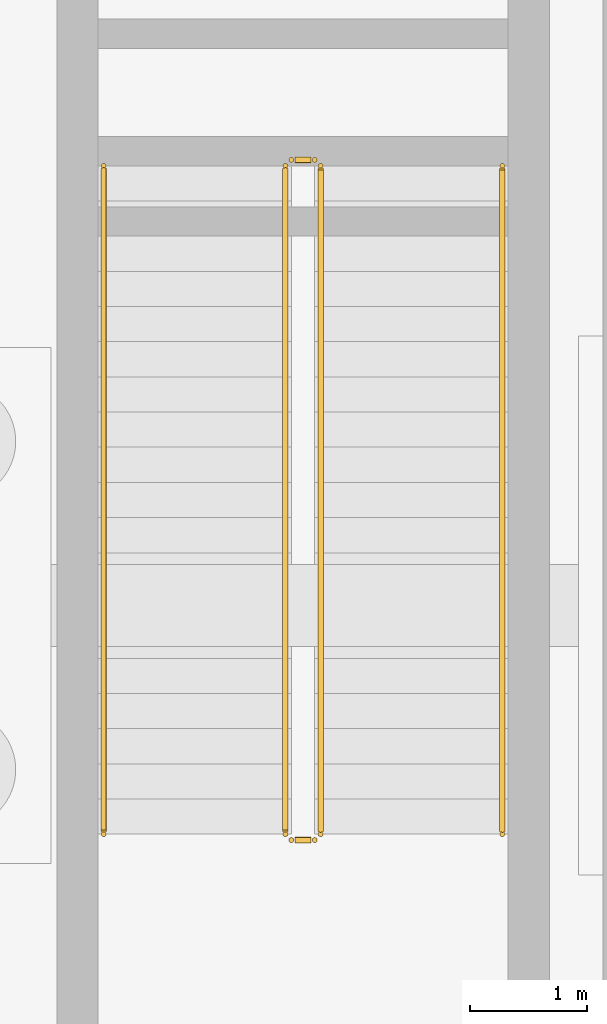
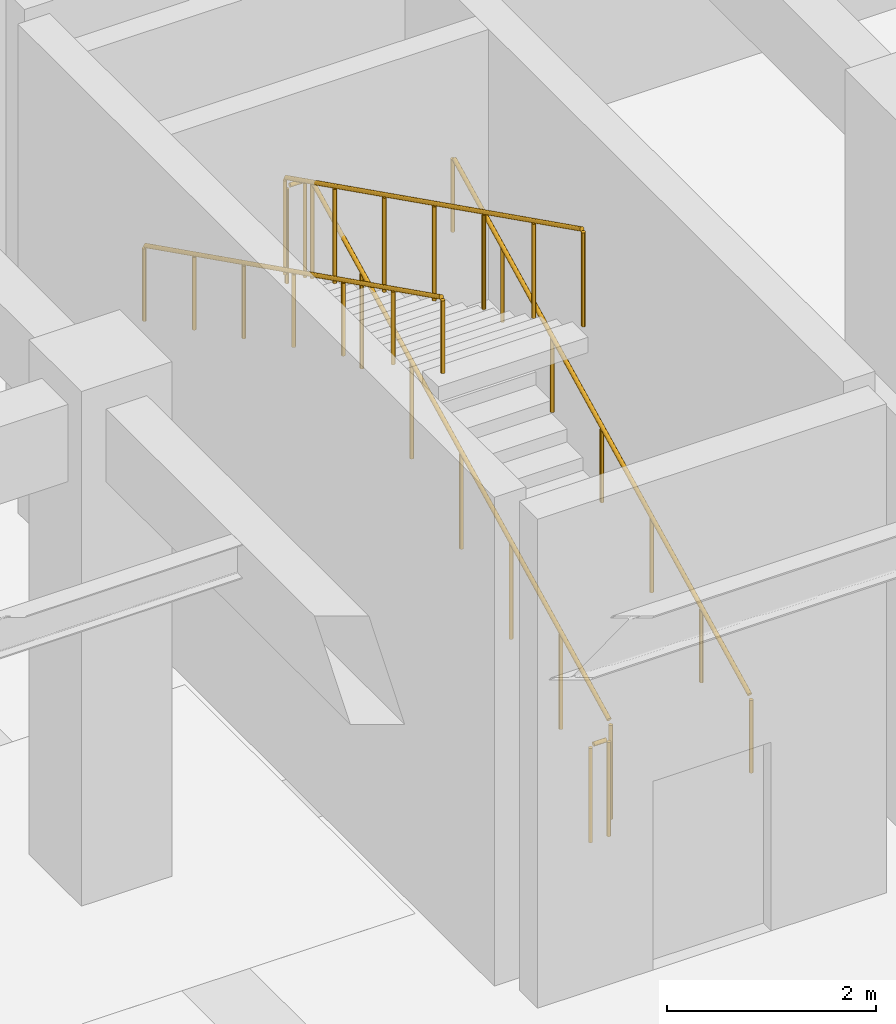
# One storey, part 32 of 36: 6 railings.
"""IFC4 building model written with IfcOpenShell, lengths in metres."""

from ifc_helpers import new_model, si_unit, direction, frame, origin, origin_2d, place, context, subcontext, project, spatial, circle, extrude, material, type_object, element, save


model = new_model("IFC4")

# Units and contexts
model_context = context("Model", 3, precision=1e-05, world=origin(), true_north=direction((0.0, 1.0)))
body_context = subcontext(model_context, "Body", "Model", "MODEL_VIEW")
ifc_project = project(units=[si_unit("LENGTHUNIT", "METRE"), si_unit("AREAUNIT", "SQUARE_METRE"), si_unit("VOLUMEUNIT", "CUBIC_METRE"), si_unit("PLANEANGLEUNIT", "RADIAN"), si_unit("MASSUNIT", "GRAM", prefix="KILO")], contexts=[model_context])

# Site, building, storey
site_placement = place(None, origin())
site = spatial("IfcSite", under=ifc_project, at=site_placement, CompositionType="ELEMENT")
building_placement = place(site_placement, origin())
building = spatial("IfcBuilding", under=site, at=building_placement, Name="Haizhuo Lancet Aquarium", CompositionType="ELEMENT")
storey_placement = place(building_placement, frame((0.0, 0.0, -6.0)))
storey = spatial("IfcBuildingStorey", under=building, at=storey_placement, Name="B1", CompositionType="ELEMENT", Elevation=-6.0)

# Railings
ifc_material = material(Name="Steel S355", Category="steel")
railing_type_1 = type_object("IfcRailingType", Name="RL-GRD-1150", PredefinedType="GUARDRAIL", material=ifc_material)
railing_1_placement = place(storey_placement, frame((13.5, 43.050048828125, 0.14990234375)))
element("IfcRailing", 1, at=railing_1_placement, inside=storey, type_object=railing_type_1, Name="B1 ST-08 stair guard 1", PredefinedType="GUARDRAIL", context=body_context, shape_type="SweptSolid", body=[
    extrude(circle(Radius=0.02392578125, at=origin_2d()), frame((0.0, 0.02685546875, 1.13916015625), z_axis=(0.0, 0.894419528903, 0.447228919365), x_axis=(-1.0, 0.0, 0.0)), (0.0, 0.0, 1.0), 6.312744140625),
    extrude(circle(Radius=0.02099609375, at=origin_2d()), origin(), (0.0, 0.0, 1.0), 1.097900390625),
    extrude(circle(Radius=0.02099609375, at=origin_2d()), frame((0.0, 0.949951171875, 0.47509765625)), (0.0, 0.0, 1.0), 1.097900390625),
    extrude(circle(Radius=0.02099609375, at=origin_2d()), frame((0.0, 1.89990234375, 0.949951171875)), (0.0, 0.0, 1.0), 1.097900390625),
    extrude(circle(Radius=0.02099609375, at=origin_2d()), frame((0.0, 2.85009765625, 1.425048828125)), (0.0, 0.0, 1.0), 1.097900390625),
    extrude(circle(Radius=0.02099609375, at=origin_2d()), frame((0.0, 3.800048828125, 1.900146484375)), (0.0, 0.0, 1.0), 1.097900390625),
    extrude(circle(Radius=0.02099609375, at=origin_2d()), frame((0.0, 4.75, 2.375)), (0.0, 0.0, 1.0), 1.097900390625),
    extrude(circle(Radius=0.02099609375, at=origin_2d()), frame((0.0, 5.699951171875, 2.85009765625)), (0.0, 0.0, 1.0), 1.097900390625),
])
railing_2_placement = place(storey_placement, frame((13.449951171875, 48.800048828125, 3.0)))
element("IfcRailing", 2, at=railing_2_placement, inside=storey, type_object=railing_type_1, Name="B1 ST-08 stair guard 2", PredefinedType="GUARDRAIL", context=body_context, shape_type="SweptSolid", body=[
    extrude(circle(Radius=0.02392578125, at=origin_2d()), frame((-0.030029296875, 0.0, 1.1259765625), z_axis=(-1.0, 0.0, 0.0), x_axis=(0.0, -1.0, 0.0)), (0.0, 0.0, 1.0), 0.139892578125),
    extrude(circle(Radius=0.02099609375, at=origin_2d()), origin(), (0.0, 0.0, 1.0), 1.097900390625),
    extrude(circle(Radius=0.02099609375, at=origin_2d()), frame((-0.199951171875, 0.0, 0.0)), (0.0, 0.0, 1.0), 1.097900390625),
])
railing_3_placement = place(storey_placement, frame((13.199951171875, 48.75, 3.14990234375)))
element("IfcRailing", 3, at=railing_3_placement, inside=storey, type_object=railing_type_1, Name="B1 ST-08 stair guard 3", PredefinedType="GUARDRAIL", context=body_context, shape_type="SweptSolid", body=[
    extrude(circle(Radius=0.02392578125, at=origin_2d()), frame((0.0, -0.02685546875, 1.13916015625), z_axis=(0.0, -0.894419528903, 0.447228919365), x_axis=(1.0, 0.0, 0.0)), (0.0, 0.0, 1.0), 6.312744140625),
    extrude(circle(Radius=0.02099609375, at=origin_2d()), origin(), (0.0, 0.0, 1.0), 1.097900390625),
    extrude(circle(Radius=0.02099609375, at=origin_2d()), frame((0.0, -0.949951171875, 0.47509765625)), (0.0, 0.0, 1.0), 1.097900390625),
    extrude(circle(Radius=0.02099609375, at=origin_2d()), frame((0.0, -1.89990234375, 0.949951171875)), (0.0, 0.0, 1.0), 1.097900390625),
    extrude(circle(Radius=0.02099609375, at=origin_2d()), frame((0.0, -2.85009765625, 1.425048828125)), (0.0, 0.0, 1.0), 1.097900390625),
    extrude(circle(Radius=0.02099609375, at=origin_2d()), frame((0.0, -3.800048828125, 1.900146484375)), (0.0, 0.0, 1.0), 1.097900390625),
    extrude(circle(Radius=0.02099609375, at=origin_2d()), frame((0.0, -4.75, 2.375)), (0.0, 0.0, 1.0), 1.097900390625),
    extrude(circle(Radius=0.02099609375, at=origin_2d()), frame((0.0, -5.699951171875, 2.85009765625)), (0.0, 0.0, 1.0), 1.097900390625),
])
railing_4_placement = place(storey_placement, frame((13.449951171875, 43.0, 0.0)))
element("IfcRailing", 4, at=railing_4_placement, inside=storey, type_object=railing_type_1, Name="B1 ST-08 stair guard 4", PredefinedType="GUARDRAIL", context=body_context, shape_type="SweptSolid", body=[
    extrude(circle(Radius=0.02392578125, at=origin_2d()), frame((-0.030029296875, 0.0, 1.1259765625), z_axis=(-1.0, 0.0, 0.0), x_axis=(0.0, -1.0, 0.0)), (0.0, 0.0, 1.0), 0.139892578125),
    extrude(circle(Radius=0.02099609375, at=origin_2d()), origin(), (0.0, 0.0, 1.0), 1.097900390625),
    extrude(circle(Radius=0.02099609375, at=origin_2d()), frame((-0.199951171875, 0.0, 0.0)), (0.0, 0.0, 1.0), 1.097900390625),
])
railing_type_2 = type_object("IfcRailingType", Name="RL-HDR-900", PredefinedType="HANDRAIL", material=ifc_material)
railing_5_placement = place(storey_placement, frame((15.050048828125, 43.050048828125, 0.14990234375)))
element("IfcRailing", 5, at=railing_5_placement, inside=storey, type_object=railing_type_2, Name="B1 ST-08 pitch handrail 1", PredefinedType="HANDRAIL", context=body_context, shape_type="SweptSolid", body=[
    extrude(circle(Radius=0.02392578125, at=origin_2d()), frame((0.0, 0.02685546875, 0.88916015625), z_axis=(0.0, 0.894419528903, 0.447228919365), x_axis=(-1.0, 0.0, 0.0)), (0.0, 0.0, 1.0), 6.312744140625),
    extrude(circle(Radius=0.02099609375, at=origin_2d()), origin(), (0.0, 0.0, 1.0), 0.847900390625),
    extrude(circle(Radius=0.02099609375, at=origin_2d()), frame((0.0, 0.949951171875, 0.47509765625)), (0.0, 0.0, 1.0), 0.847900390625),
    extrude(circle(Radius=0.02099609375, at=origin_2d()), frame((0.0, 1.89990234375, 0.949951171875)), (0.0, 0.0, 1.0), 0.847900390625),
    extrude(circle(Radius=0.02099609375, at=origin_2d()), frame((0.0, 2.85009765625, 1.425048828125)), (0.0, 0.0, 1.0), 0.847900390625),
    extrude(circle(Radius=0.02099609375, at=origin_2d()), frame((0.0, 3.800048828125, 1.900146484375)), (0.0, 0.0, 1.0), 0.847900390625),
    extrude(circle(Radius=0.02099609375, at=origin_2d()), frame((0.0, 4.75, 2.375)), (0.0, 0.0, 1.0), 0.847900390625),
    extrude(circle(Radius=0.02099609375, at=origin_2d()), frame((0.0, 5.699951171875, 2.85009765625)), (0.0, 0.0, 1.0), 0.847900390625),
])
railing_6_placement = place(storey_placement, frame((11.64990234375, 48.75, 3.14990234375)))
element("IfcRailing", 6, at=railing_6_placement, inside=storey, type_object=railing_type_2, Name="B1 ST-08 pitch handrail 2", PredefinedType="HANDRAIL", context=body_context, shape_type="SweptSolid", body=[
    extrude(circle(Radius=0.02392578125, at=origin_2d()), frame((0.0, -0.02685546875, 0.88916015625), z_axis=(0.0, -0.894419528903, 0.447228919365), x_axis=(1.0, 0.0, 0.0)), (0.0, 0.0, 1.0), 6.312744140625),
    extrude(circle(Radius=0.02099609375, at=origin_2d()), origin(), (0.0, 0.0, 1.0), 0.847900390625),
    extrude(circle(Radius=0.02099609375, at=origin_2d()), frame((0.0, -0.949951171875, 0.47509765625)), (0.0, 0.0, 1.0), 0.847900390625),
    extrude(circle(Radius=0.02099609375, at=origin_2d()), frame((0.0, -1.89990234375, 0.949951171875)), (0.0, 0.0, 1.0), 0.847900390625),
    extrude(circle(Radius=0.02099609375, at=origin_2d()), frame((0.0, -2.85009765625, 1.425048828125)), (0.0, 0.0, 1.0), 0.847900390625),
    extrude(circle(Radius=0.02099609375, at=origin_2d()), frame((0.0, -3.800048828125, 1.900146484375)), (0.0, 0.0, 1.0), 0.847900390625),
    extrude(circle(Radius=0.02099609375, at=origin_2d()), frame((0.0, -4.75, 2.375)), (0.0, 0.0, 1.0), 0.847900390625),
    extrude(circle(Radius=0.02099609375, at=origin_2d()), frame((0.0, -5.699951171875, 2.85009765625)), (0.0, 0.0, 1.0), 0.847900390625),
])

save(model, "model.ifc")
